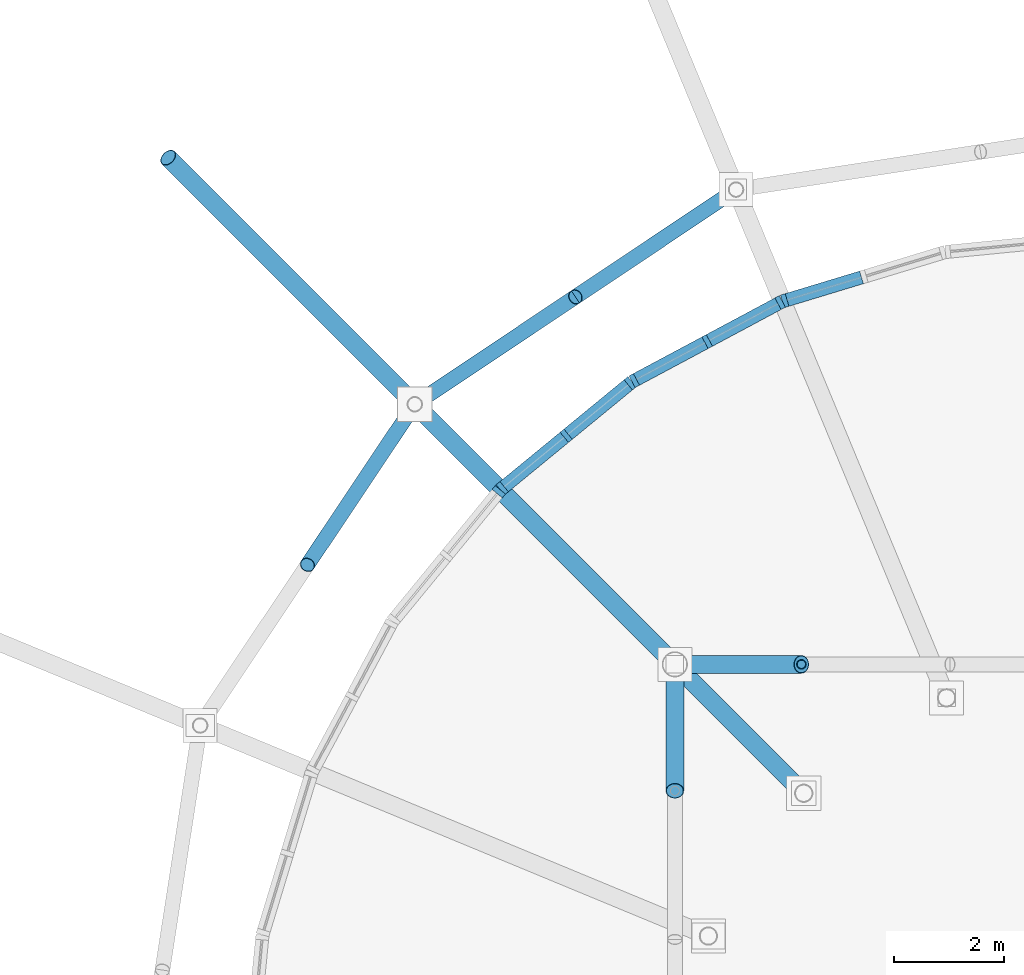
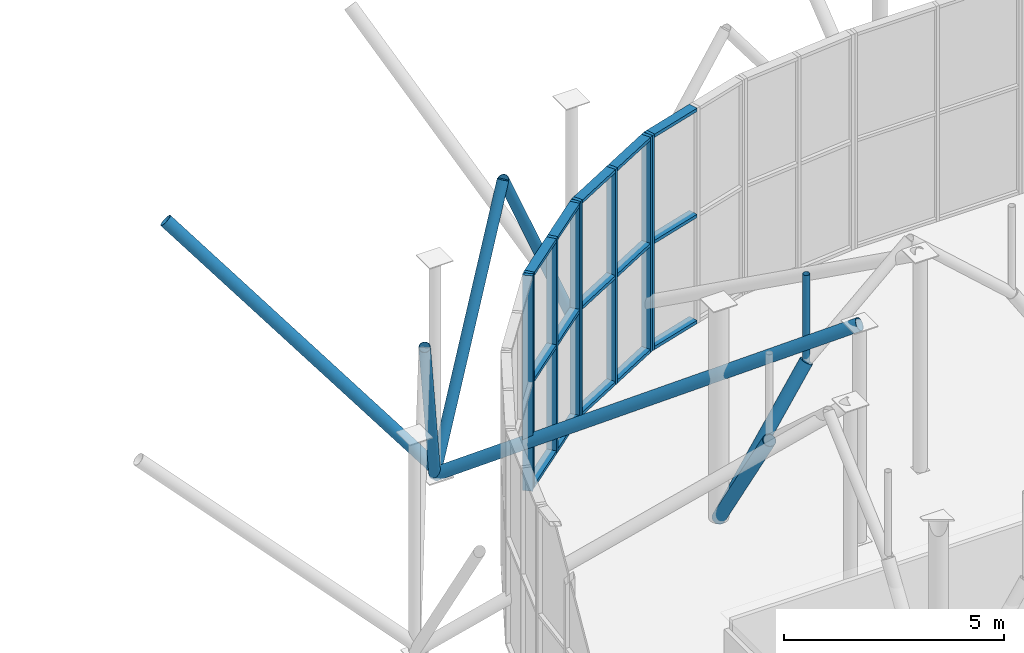
# One storey, part 50 of 109: 31 members, 4 elements without a shape of their own.
"""IFC4 building model written with IfcOpenShell, lengths in metres."""

import ifcopenshell
import ifcopenshell.guid

model = None  # the IFC model being written
_history = None  # IfcOwnerHistory: only IFC2X3 demands one
_inside = {}  # id of a spatial element -> (the spatial element, [elements in it])
_under = {}  # id of a project, library or spatial element -> (it, [spatial elements below it])
_declared = {}  # id of a project -> (the project, [libraries it declares])
_typed = {}  # id of a type object -> (the type object, [elements of that type])
_made_of = {}  # id of a material, layer set ... -> (it, [elements and type objects made of it])


def new_model(schema):
    """Start an empty IFC model of exactly this schema.

    Asked for "IFC4X3", IfcOpenShell would pick the latest addendum, in which some entities
    have other attributes; the version numbers below select the first issue.
    IFC2X3 requires an IfcOwnerHistory on every rooted entity: one is made here for all.
    """
    global model, _history
    if schema == "IFC4X3":
        model = ifcopenshell.file(schema_version=(4, 3, 0, 0))
    else:
        model = ifcopenshell.file(schema=schema)
    _inside.clear()
    _under.clear()
    _declared.clear()
    _typed.clear()
    _made_of.clear()
    _history = None
    if model.schema == "IFC2X3":
        org = make("IfcOrganization", Name="unknown")
        user = make(
            "IfcPersonAndOrganization",
            ThePerson=make("IfcPerson", FamilyName="unknown"),
            TheOrganization=org,
        )
        app = make(
            "IfcApplication",
            ApplicationDeveloper=org,
            Version="unknown",
            ApplicationFullName="unknown",
            ApplicationIdentifier="unknown",
        )
        _history = make(
            "IfcOwnerHistory",
            OwningUser=user,
            OwningApplication=app,
            ChangeAction="ADDED",
            CreationDate=0,
        )
    return model


def make(cls, **values):
    """One entity of the class cls with the attributes given. An attribute that is None is left unset."""
    return model.create_entity(
        cls, **{name: value for name, value in values.items() if value is not None}
    )


def rooted(cls, **values):
    """An entity with a GlobalId (a new one), such as an element, a storey or a relation."""
    return make(cls, GlobalId=ifcopenshell.guid.new(), OwnerHistory=_history, **values)


def si_unit(unit_type, name, prefix=None):
    """IfcSIUnit, for example si_unit("LENGTHUNIT", "METRE", prefix="MILLI")."""
    return make("IfcSIUnit", UnitType=unit_type, Prefix=prefix, Name=name)


def derived_unit(unit_type, elements):
    """IfcDerivedUnit: a product of units, each with its exponent."""
    return make(
        "IfcDerivedUnit",
        Elements=[
            make("IfcDerivedUnitElement", Unit=unit, Exponent=power)
            for unit, power in elements
        ],
        UnitType=unit_type,
    )


def assignment(units):
    """IfcUnitAssignment: the units of a project."""
    return None if units is None else make("IfcUnitAssignment", Units=units)


def point(xyz):
    """IfcCartesianPoint."""
    return None if xyz is None else make("IfcCartesianPoint", Coordinates=xyz)


def direction(xyz):
    """IfcDirection."""
    return None if xyz is None else make("IfcDirection", DirectionRatios=xyz)


def frame(location, z_axis=None, x_axis=None):
    """IfcAxis2Placement3D, a coordinate frame: its origin and axes. An axis left out is left unset."""
    return make(
        "IfcAxis2Placement3D",
        Location=point(location),
        Axis=direction(z_axis),
        RefDirection=direction(x_axis),
    )


def frame_2d(location, x_axis=None):
    """IfcAxis2Placement2D, a coordinate frame in the plane: its origin and x axis."""
    return make(
        "IfcAxis2Placement2D", Location=point(location), RefDirection=direction(x_axis)
    )


def origin():
    """The frame at (0, 0, 0) with its axes left unset."""
    return frame((0.0, 0.0, 0.0))


def origin_2d_with_axis():
    """The frame at (0, 0) in the plane with the x axis (1, 0) written out."""
    return frame_2d((0.0, 0.0), x_axis=(1.0, 0.0))


def place(relative_to, where):
    """IfcLocalPlacement: puts the frame where relative to a parent placement (None: the world)."""
    return make(
        "IfcLocalPlacement", PlacementRelTo=relative_to, RelativePlacement=where
    )


def context(
    kind, dimensions, precision=None, world=None, true_north=None, identifier=None
):
    """IfcGeometricRepresentationContext, for example the 3D "Model" context."""
    return make(
        "IfcGeometricRepresentationContext",
        ContextIdentifier=identifier,
        ContextType=kind,
        CoordinateSpaceDimension=dimensions,
        Precision=precision,
        WorldCoordinateSystem=world,
        TrueNorth=true_north,
    )


def subcontext(parent, identifier, kind, view, scale=None):
    """IfcGeometricRepresentationSubContext, for example "Body" below "Model"."""
    return make(
        "IfcGeometricRepresentationSubContext",
        ContextIdentifier=identifier,
        ContextType=kind,
        ParentContext=parent,
        TargetScale=scale,
        TargetView=view,
    )


def project(units=None, contexts=None):
    """IfcProject with its units and contexts."""
    return rooted(
        "IfcProject",
        Name="project",
        RepresentationContexts=contexts,
        UnitsInContext=assignment(units),
    )


def spatial(cls, under=None, at=None, **own):
    """A site, building, storey or space (cls), placed at a placement, below another one or the project."""
    s = rooted(cls, ObjectPlacement=at, **own)
    if under is not None:
        _under.setdefault(under.id(), (under, []))[1].append(s)
    return s


def profile(cls, at=None, kind="AREA", **sizes):
    """A parametric profile (cls). Its sizes go by their IFC names, for example OverallWidth=200.0."""
    return make(cls, ProfileType=kind, Position=at, **sizes)


def rectangle(**sizes):
    """IfcRectangleProfileDef."""
    return profile("IfcRectangleProfileDef", **sizes)


def hollow_circle(**sizes):
    """IfcCircleHollowProfileDef."""
    return profile("IfcCircleHollowProfileDef", **sizes)


def extrude(swept, where, along, depth):
    """IfcExtrudedAreaSolid: the profile swept, set in the frame where, extruded along a direction by depth."""
    return make(
        "IfcExtrudedAreaSolid",
        SweptArea=swept,
        Position=where,
        ExtrudedDirection=direction(along),
        Depth=depth,
    )


def shape(context_of_items, identifier, shape_type, items):
    """IfcShapeRepresentation: the items that make up one representation, for example the "Body"."""
    return make(
        "IfcShapeRepresentation",
        ContextOfItems=context_of_items,
        RepresentationIdentifier=identifier,
        RepresentationType=shape_type,
        Items=items,
    )


def material(Name=None, Category=None):
    """IfcMaterial."""
    return make("IfcMaterial", Name=Name, Category=Category)


def material_profile(
    of_material, cross_section, Name=None, Category=None, Priority=None
):
    """IfcMaterialProfile: a cross section and its material."""
    return make(
        "IfcMaterialProfile",
        Name=Name,
        Material=of_material,
        Profile=cross_section,
        Priority=Priority,
        Category=Category,
    )


def profile_set(profiles, Name=None, composite=None):
    """IfcMaterialProfileSet."""
    return make(
        "IfcMaterialProfileSet",
        Name=Name,
        MaterialProfiles=profiles,
        CompositeProfile=composite,
    )


def made_of(thing, what):
    """Note that an element or type object is made of a material, layer set ...; save() writes the relation."""
    if what is not None:
        _made_of.setdefault(what.id(), (what, []))[1].append(thing)
    return thing


def type_object(cls, material=None, **own):
    """A type object (cls), such as IfcWallType, which elements share."""
    return made_of(rooted(cls, **own), material)


def element(
    cls,
    number,
    at=None,
    inside=None,
    cuts=None,
    type_object=None,
    material=None,
    context=None,
    identifier="Body",
    shape_type=None,
    held_by="IfcProductDefinitionShape",
    body=None,
    shapes=None,
    **own,
):
    """One element of the class cls, such as IfcWall. Its Tag is "e" and its number.

    at: its placement. inside: the storey or other place that contains it. cuts: it is an
    opening in that element (IfcRelVoidsElement). A single representation is given by context,
    identifier, shape_type and body (its items); several are given by shapes. held_by: the class
    of the entity that holds the representations. save() writes the other relations.
    """
    e = rooted(cls, Tag="e%d" % number, ObjectPlacement=at, **own)
    if body is not None:
        shapes = [shape(context, identifier, shape_type, body)]
    if shapes is not None:
        e.Representation = make(held_by, Representations=shapes)
    if inside is not None:
        _inside.setdefault(inside.id(), (inside, []))[1].append(e)
    if cuts is not None:
        rooted(
            "IfcRelVoidsElement", RelatingBuildingElement=cuts, RelatedOpeningElement=e
        )
    if type_object is not None:
        _typed.setdefault(type_object.id(), (type_object, []))[1].append(e)
    return made_of(e, material)


def aggregate(whole, parts):
    """IfcRelAggregates: a whole, such as a stair, and the parts it consists of."""
    return rooted("IfcRelAggregates", RelatingObject=whole, RelatedObjects=parts)


def save(model, path):
    """Write the relations noted so far, then the file.

    IfcRelAggregates (storeys below a building ...), IfcRelContainedInSpatialStructure (elements
    in a storey), IfcRelDefinesByType, IfcRelAssociatesMaterial and IfcRelDeclares: one each for
    every whole, place, type object, material and project.
    """
    for whole, parts in _under.values():
        aggregate(whole, parts)
    for where, things in _inside.values():
        rooted(
            "IfcRelContainedInSpatialStructure",
            RelatedElements=things,
            RelatingStructure=where,
        )
    for kind, things in _typed.values():
        rooted("IfcRelDefinesByType", RelatedObjects=things, RelatingType=kind)
    for what, things in _made_of.values():
        rooted("IfcRelAssociatesMaterial", RelatedObjects=things, RelatingMaterial=what)
    for by, libraries in _declared.values():
        rooted("IfcRelDeclares", RelatingContext=by, RelatedDefinitions=libraries)
    model.write(path)


model = new_model("IFC4")

# Units and contexts
model_context = context("Model", 3, precision=1e-05, world=origin(), true_north=direction((0.0, 1.0)))
body_context = subcontext(model_context, "Body", "Model", "MODEL_VIEW")
ifc_project = project(units=[si_unit("LENGTHUNIT", "METRE"), si_unit("AREAUNIT", "SQUARE_METRE"), si_unit("VOLUMEUNIT", "CUBIC_METRE"), si_unit("PLANEANGLEUNIT", "RADIAN"), si_unit("MASSUNIT", "GRAM", prefix="KILO"), derived_unit("THERMALTRANSMITTANCEUNIT", [(si_unit("POWERUNIT", "WATT"), 1), (si_unit("LENGTHUNIT", "METRE"), -2), (si_unit("THERMODYNAMICTEMPERATUREUNIT", "KELVIN"), -1)])], contexts=[model_context])

# Site, building, storey
site_placement = place(None, origin())
site = spatial("IfcSite", under=ifc_project, at=site_placement, CompositionType="ELEMENT")
building_placement = place(site_placement, origin())
building = spatial("IfcBuilding", under=site, at=building_placement, Name="Cinnabar Yard Market Hall", CompositionType="ELEMENT")
storey_placement = place(building_placement, frame((0.0, 0.0, 8.39990234375)))
storey = spatial("IfcBuildingStorey", under=building, at=storey_placement, Name="L02", CompositionType="ELEMENT", Elevation=8.39990234375)

# Curtain wall, member
ifc_material_1 = material(Name="Anodised bronze aluminium curved-chord facade", Category="aluminium")
curtain_wall_type = type_object("IfcCurtainWallType", Name="CW-CWC031x60", PredefinedType="NOTDEFINED", material=ifc_material_1)
curtain_wall_1_placement = place(storey_placement, origin())
curtain_wall_1 = element("IfcCurtainWall", 1, at=curtain_wall_1_placement, inside=storey, type_object=curtain_wall_type, Name="Corner NW Chord 2 L02", PredefinedType="NOTDEFINED")
ifc_material_2 = material(Name="Anodised bronze aluminium", Category="aluminium")
ifc_material_profile_1 = material_profile(ifc_material_2, rectangle(XDim=0.239990234375, YDim=0.090087890625, at=origin_2d_with_axis()), Name="MUL-CWC")
ifc_profile_set_1 = profile_set([ifc_material_profile_1], Name="Anodised bronze aluminium")
member_type_1 = type_object("IfcMemberType", Name="CWM-CWC", PredefinedType="MULLION", material=ifc_profile_set_1)
member_1_placement = place(storey_placement, frame((77.99658203125, 70.6103515625, 0.0), z_axis=(0.0, 0.0, 1.0), x_axis=(0.290278891325, -0.956942090856, 0.0)))
member_1 = element("IfcMember", 2, at=member_1_placement, type_object=member_type_1, Name="CWC031x60 mullion 3", PredefinedType="MULLION", context=body_context, shape_type="SweptSolid", body=[
    extrude(rectangle(XDim=0.239990234375, YDim=0.090087890625, at=origin_2d_with_axis()), origin(), (0.0, 0.0, 1.0), 5.97998046875),
])

# Curtain wall, members
curtain_wall_2_placement = place(storey_placement, origin())
curtain_wall_2 = element("IfcCurtainWall", 3, at=curtain_wall_2_placement, inside=storey, type_object=curtain_wall_type, Name="Corner NW Chord 3 L02", PredefinedType="NOTDEFINED")
member_2_placement = place(storey_placement, frame((77.913818359375, 70.576171875, 0.0), z_axis=(0.0, 0.0, 1.0), x_axis=(0.471404114786, -0.881917320707, 0.0)))
member_2 = element("IfcMember", 4, at=member_2_placement, type_object=member_type_1, Name="CWC031x60 mullion 1", PredefinedType="MULLION", context=body_context, shape_type="SweptSolid", body=[
    extrude(rectangle(XDim=0.239990234375, YDim=0.090087890625, at=origin_2d_with_axis()), origin(), (0.0, 0.0, 1.0), 5.97998046875),
])
member_3_placement = place(storey_placement, frame((76.587890625, 69.8671875, 0.0), z_axis=(0.0, 0.0, 1.0), x_axis=(0.471404114786, -0.881917320707, 0.0)))
member_3 = element("IfcMember", 5, at=member_3_placement, type_object=member_type_1, Name="CWC031x60 mullion 2", PredefinedType="MULLION", context=body_context, shape_type="SweptSolid", body=[
    extrude(rectangle(XDim=0.239990234375, YDim=0.090087890625, at=origin_2d_with_axis()), origin(), (0.0, 0.0, 1.0), 5.97998046875),
])
member_4_placement = place(storey_placement, frame((75.26171875, 69.158447265625, 0.0), z_axis=(0.0, 0.0, 1.0), x_axis=(0.471404114786, -0.881917320707, 0.0)))
member_4 = element("IfcMember", 6, at=member_4_placement, type_object=member_type_1, Name="CWC031x60 mullion 3", PredefinedType="MULLION", context=body_context, shape_type="SweptSolid", body=[
    extrude(rectangle(XDim=0.239990234375, YDim=0.090087890625, at=origin_2d_with_axis()), origin(), (0.0, 0.0, 1.0), 5.97998046875),
])

curtain_wall_3_placement = place(storey_placement, origin())
curtain_wall_3 = element("IfcCurtainWall", 7, at=curtain_wall_3_placement, inside=storey, type_object=curtain_wall_type, Name="Corner NW Chord 4 L02", PredefinedType="NOTDEFINED")
member_5_placement = place(storey_placement, frame((75.187255859375, 69.108642578125, 0.0), z_axis=(0.0, 0.0, 1.0), x_axis=(0.634383400924, -0.773018564222, 0.0)))
member_5 = element("IfcMember", 8, at=member_5_placement, type_object=member_type_1, Name="CWC031x60 mullion 1", PredefinedType="MULLION", context=body_context, shape_type="SweptSolid", body=[
    extrude(rectangle(XDim=0.239990234375, YDim=0.090087890625, at=origin_2d_with_axis()), origin(), (0.0, 0.0, 1.0), 5.97998046875),
])
member_6_placement = place(storey_placement, frame((74.02490234375, 68.15478515625, 0.0), z_axis=(0.0, 0.0, 1.0), x_axis=(0.634383400924, -0.773018564222, 0.0)))
member_6 = element("IfcMember", 9, at=member_6_placement, type_object=member_type_1, Name="CWC031x60 mullion 2", PredefinedType="MULLION", context=body_context, shape_type="SweptSolid", body=[
    extrude(rectangle(XDim=0.239990234375, YDim=0.090087890625, at=origin_2d_with_axis()), origin(), (0.0, 0.0, 1.0), 5.97998046875),
])
member_7_placement = place(storey_placement, frame((72.862548828125, 67.200927734375, 0.0), z_axis=(0.0, 0.0, 1.0), x_axis=(0.634383400924, -0.773018564222, 0.0)))
member_7 = element("IfcMember", 10, at=member_7_placement, type_object=member_type_1, Name="CWC031x60 mullion 3", PredefinedType="MULLION", context=body_context, shape_type="SweptSolid", body=[
    extrude(rectangle(XDim=0.239990234375, YDim=0.090087890625, at=origin_2d_with_axis()), origin(), (0.0, 0.0, 1.0), 5.97998046875),
])

# Curtain wall, member
curtain_wall_4_placement = place(storey_placement, origin())
curtain_wall_4 = element("IfcCurtainWall", 11, at=curtain_wall_4_placement, inside=storey, type_object=curtain_wall_type, Name="Corner NW Chord 5 L02", PredefinedType="NOTDEFINED")
member_8_placement = place(storey_placement, frame((72.799072265625, 67.137451171875, 0.0), z_axis=(0.0, 0.0, 1.0), x_axis=(0.773018564222, -0.634383400924, 0.0)))
member_8 = element("IfcMember", 12, at=member_8_placement, type_object=member_type_1, Name="CWC031x60 mullion 1", PredefinedType="MULLION", context=body_context, shape_type="SweptSolid", body=[
    extrude(rectangle(XDim=0.239990234375, YDim=0.090087890625, at=origin_2d_with_axis()), origin(), (0.0, 0.0, 1.0), 5.97998046875),
])
aggregate(curtain_wall_4, [member_8])

# Member
ifc_material_profile_2 = material_profile(ifc_material_2, rectangle(XDim=0.239990234375, YDim=0.090087890625, at=origin_2d_with_axis()), Name="TRN-CWC")
ifc_profile_set_2 = profile_set([ifc_material_profile_2], Name="Anodised bronze aluminium")
member_type_2 = type_object("IfcMemberType", Name="CWT-CWC", PredefinedType="USERDEFINED", material=ifc_profile_set_2)
member_9_placement = place(storey_placement, frame((79.392578125, 71.03369140625, 0.045166015625), z_axis=(-0.956980816915, -0.290151195166, 0.0), x_axis=(0.290151195166, -0.956980816915, 0.0)))
member_9 = element("IfcMember", 13, at=member_9_placement, type_object=member_type_2, Name="CWC031x60 transom 2.1", ObjectType="TRANSOM", PredefinedType="USERDEFINED", context=body_context, shape_type="SweptSolid", body=[
    extrude(rectangle(XDim=0.239990234375, YDim=0.090087890625, at=origin_2d_with_axis()), origin(), (0.0, 0.0, 1.0), 1.41357421875),
])

member_10_placement = place(storey_placement, frame((79.392578125, 71.03369140625, 2.989990234375), z_axis=(-0.956980816915, -0.290151195166, 0.0), x_axis=(0.290151195166, -0.956980816915, 0.0)))
member_10 = element("IfcMember", 14, at=member_10_placement, type_object=member_type_2, Name="CWC031x60 transom 2.2", ObjectType="TRANSOM", PredefinedType="USERDEFINED", context=body_context, shape_type="SweptSolid", body=[
    extrude(rectangle(XDim=0.239990234375, YDim=0.090087890625, at=origin_2d_with_axis()), origin(), (0.0, 0.0, 1.0), 1.41357421875),
])

member_11_placement = place(storey_placement, frame((79.392578125, 71.03369140625, 5.93505859375), z_axis=(-0.956980816915, -0.290151195166, 0.0), x_axis=(0.290151195166, -0.956980816915, 0.0)))
member_11 = element("IfcMember", 15, at=member_11_placement, type_object=member_type_2, Name="CWC031x60 transom 2.3", ObjectType="TRANSOM", PredefinedType="USERDEFINED", context=body_context, shape_type="SweptSolid", body=[
    extrude(rectangle(XDim=0.239990234375, YDim=0.090087890625, at=origin_2d_with_axis()), origin(), (0.0, 0.0, 1.0), 1.41357421875),
])

aggregate(curtain_wall_1, [member_1, member_9, member_10, member_11])

member_12_placement = place(storey_placement, frame((77.874267578125, 70.554931640625, 0.045166015625), z_axis=(-0.881903198965, -0.471430533224, 0.0), x_axis=(0.471430533224, -0.881903198965, 0.0)))
member_12 = element("IfcMember", 16, at=member_12_placement, type_object=member_type_2, Name="CWC031x60 transom 1.1", ObjectType="TRANSOM", PredefinedType="USERDEFINED", context=body_context, shape_type="SweptSolid", body=[
    extrude(rectangle(XDim=0.239990234375, YDim=0.090087890625, at=origin_2d_with_axis()), origin(), (0.0, 0.0, 1.0), 1.413818359375),
])

member_13_placement = place(storey_placement, frame((77.874267578125, 70.554931640625, 2.989990234375), z_axis=(-0.881903198965, -0.471430533224, 0.0), x_axis=(0.471430533224, -0.881903198965, 0.0)))
member_13 = element("IfcMember", 17, at=member_13_placement, type_object=member_type_2, Name="CWC031x60 transom 1.2", ObjectType="TRANSOM", PredefinedType="USERDEFINED", context=body_context, shape_type="SweptSolid", body=[
    extrude(rectangle(XDim=0.239990234375, YDim=0.090087890625, at=origin_2d_with_axis()), origin(), (0.0, 0.0, 1.0), 1.413818359375),
])

member_14_placement = place(storey_placement, frame((77.874267578125, 70.554931640625, 5.93505859375), z_axis=(-0.881903198965, -0.471430533224, 0.0), x_axis=(0.471430533224, -0.881903198965, 0.0)))
member_14 = element("IfcMember", 18, at=member_14_placement, type_object=member_type_2, Name="CWC031x60 transom 1.3", ObjectType="TRANSOM", PredefinedType="USERDEFINED", context=body_context, shape_type="SweptSolid", body=[
    extrude(rectangle(XDim=0.239990234375, YDim=0.090087890625, at=origin_2d_with_axis()), origin(), (0.0, 0.0, 1.0), 1.413818359375),
])

member_15_placement = place(storey_placement, frame((76.548095703125, 69.845947265625, 0.045166015625), z_axis=(-0.881974989496, -0.471296210365, 0.0), x_axis=(0.471296210365, -0.881974989496, 0.0)))
member_15 = element("IfcMember", 19, at=member_15_placement, type_object=member_type_2, Name="CWC031x60 transom 2.1", ObjectType="TRANSOM", PredefinedType="USERDEFINED", context=body_context, shape_type="SweptSolid", body=[
    extrude(rectangle(XDim=0.239990234375, YDim=0.090087890625, at=origin_2d_with_axis()), origin(), (0.0, 0.0, 1.0), 1.41357421875),
])

member_16_placement = place(storey_placement, frame((76.548095703125, 69.845947265625, 2.989990234375), z_axis=(-0.881974989496, -0.471296210365, 0.0), x_axis=(0.471296210365, -0.881974989496, 0.0)))
member_16 = element("IfcMember", 20, at=member_16_placement, type_object=member_type_2, Name="CWC031x60 transom 2.2", ObjectType="TRANSOM", PredefinedType="USERDEFINED", context=body_context, shape_type="SweptSolid", body=[
    extrude(rectangle(XDim=0.239990234375, YDim=0.090087890625, at=origin_2d_with_axis()), origin(), (0.0, 0.0, 1.0), 1.41357421875),
])

member_17_placement = place(storey_placement, frame((76.548095703125, 69.845947265625, 5.93505859375), z_axis=(-0.881974989496, -0.471296210365, 0.0), x_axis=(0.471296210365, -0.881974989496, 0.0)))
member_17 = element("IfcMember", 21, at=member_17_placement, type_object=member_type_2, Name="CWC031x60 transom 2.3", ObjectType="TRANSOM", PredefinedType="USERDEFINED", context=body_context, shape_type="SweptSolid", body=[
    extrude(rectangle(XDim=0.239990234375, YDim=0.090087890625, at=origin_2d_with_axis()), origin(), (0.0, 0.0, 1.0), 1.41357421875),
])

aggregate(curtain_wall_2, [member_2, member_3, member_4, member_12, member_13, member_14, member_15, member_16, member_17])

member_18_placement = place(storey_placement, frame((75.15234375, 69.080078125, 0.045166015625), z_axis=(-0.773040795861, -0.634356309919, 0.0), x_axis=(0.634356309919, -0.773040795861, 0.0)))
member_18 = element("IfcMember", 22, at=member_18_placement, type_object=member_type_2, Name="CWC031x60 transom 1.1", ObjectType="TRANSOM", PredefinedType="USERDEFINED", context=body_context, shape_type="SweptSolid", body=[
    extrude(rectangle(XDim=0.239990234375, YDim=0.090087890625, at=origin_2d_with_axis()), origin(), (0.0, 0.0, 1.0), 1.41357421875),
])

member_19_placement = place(storey_placement, frame((75.15234375, 69.080078125, 2.989990234375), z_axis=(-0.773040795861, -0.634356309919, 0.0), x_axis=(0.634356309919, -0.773040795861, 0.0)))
member_19 = element("IfcMember", 23, at=member_19_placement, type_object=member_type_2, Name="CWC031x60 transom 1.2", ObjectType="TRANSOM", PredefinedType="USERDEFINED", context=body_context, shape_type="SweptSolid", body=[
    extrude(rectangle(XDim=0.239990234375, YDim=0.090087890625, at=origin_2d_with_axis()), origin(), (0.0, 0.0, 1.0), 1.41357421875),
])

member_20_placement = place(storey_placement, frame((75.15234375, 69.080078125, 5.93505859375), z_axis=(-0.773040795861, -0.634356309919, 0.0), x_axis=(0.634356309919, -0.773040795861, 0.0)))
member_20 = element("IfcMember", 24, at=member_20_placement, type_object=member_type_2, Name="CWC031x60 transom 1.3", ObjectType="TRANSOM", PredefinedType="USERDEFINED", context=body_context, shape_type="SweptSolid", body=[
    extrude(rectangle(XDim=0.239990234375, YDim=0.090087890625, at=origin_2d_with_axis()), origin(), (0.0, 0.0, 1.0), 1.41357421875),
])

member_21_placement = place(storey_placement, frame((73.989990234375, 68.126220703125, 0.045166015625), z_axis=(-0.773040795861, -0.634356309919, 0.0), x_axis=(0.634356309919, -0.773040795861, 0.0)))
member_21 = element("IfcMember", 25, at=member_21_placement, type_object=member_type_2, Name="CWC031x60 transom 2.1", ObjectType="TRANSOM", PredefinedType="USERDEFINED", context=body_context, shape_type="SweptSolid", body=[
    extrude(rectangle(XDim=0.239990234375, YDim=0.090087890625, at=origin_2d_with_axis()), origin(), (0.0, 0.0, 1.0), 1.41357421875),
])

member_22_placement = place(storey_placement, frame((73.989990234375, 68.126220703125, 2.989990234375), z_axis=(-0.773040795861, -0.634356309919, 0.0), x_axis=(0.634356309919, -0.773040795861, 0.0)))
member_22 = element("IfcMember", 26, at=member_22_placement, type_object=member_type_2, Name="CWC031x60 transom 2.2", ObjectType="TRANSOM", PredefinedType="USERDEFINED", context=body_context, shape_type="SweptSolid", body=[
    extrude(rectangle(XDim=0.239990234375, YDim=0.090087890625, at=origin_2d_with_axis()), origin(), (0.0, 0.0, 1.0), 1.41357421875),
])

member_23_placement = place(storey_placement, frame((73.989990234375, 68.126220703125, 5.93505859375), z_axis=(-0.773040795861, -0.634356309919, 0.0), x_axis=(0.634356309919, -0.773040795861, 0.0)))
member_23 = element("IfcMember", 27, at=member_23_placement, type_object=member_type_2, Name="CWC031x60 transom 2.3", ObjectType="TRANSOM", PredefinedType="USERDEFINED", context=body_context, shape_type="SweptSolid", body=[
    extrude(rectangle(XDim=0.239990234375, YDim=0.090087890625, at=origin_2d_with_axis()), origin(), (0.0, 0.0, 1.0), 1.41357421875),
])

aggregate(curtain_wall_3, [member_5, member_6, member_7, member_18, member_19, member_20, member_21, member_22, member_23])

# Members
ifc_material_3 = material(Name="Spotted-gum glulam-clad steel Grade 350 (350 MPa)", Category="steel")
ifc_material_profile_3 = material_profile(ifc_material_3, hollow_circle(Radius=0.136474609375, WallThickness=0.00927734375, at=origin_2d_with_axis()), Name="273.1x9.3CHS")
ifc_profile_set_3 = profile_set([ifc_material_profile_3], Name="Spotted-gum glulam-clad steel Grade 350 (350 MPa)")
member_type_3 = type_object("IfcMemberType", Name="MB-AR01E", PredefinedType="USERDEFINED", material=ifc_profile_set_3)
for number, where, z_axis, x_axis, name in (
    (28, (77.11181640625, 72.6298828125, 0.0), (-0.42105010271, -0.281322020966, 0.862307793962), (0.555550213974, -0.831482988253, 0.0), "Corner Pointed Arch NW 2A"),
    (29, (71.272216796875, 68.727783203125, 0.0), (0.421016968363, 0.281358609512, 0.862312034709), (-0.555630392257, 0.831429412037, 0.0), "Corner Pointed Arch NW 2B"),
    (30, (71.272216796875, 68.727783203125, 0.0), (-0.281358609512, -0.421016968363, 0.862312034709), (0.831429412037, -0.555630392257, 0.0), "Corner Pointed Arch NW 3A"),
):
    element("IfcMember", number, at=place(storey_placement, frame(where, z_axis=z_axis, x_axis=x_axis)), inside=storey, type_object=member_type_3, Name=name, ObjectType="ARCH RIB", PredefinedType="USERDEFINED", context=body_context, shape_type="SweptSolid", body=[
        extrude(hollow_circle(Radius=0.136474609375, WallThickness=0.00927734375, at=origin_2d_with_axis()), origin(), (0.0, 0.0, 1.0), 6.934814453125),
    ])
ifc_material_profile_4 = material_profile(ifc_material_3, hollow_circle(Radius=0.161865234375, WallThickness=0.009521484375, at=origin_2d_with_axis()), Name="323.9x9.5CHS")
ifc_profile_set_4 = profile_set([ifc_material_profile_4], Name="Spotted-gum glulam-clad steel Grade 350 (350 MPa)")
member_type_4 = type_object("IfcMemberType", Name="MB-ST01", PredefinedType="STRUT", material=ifc_profile_set_4)
for number, where, z_axis, x_axis, name in (
    (31, (76.0, 64.0, 0.0), (0.543744165176, 0.0, 0.839251024925), (0.0, 1.0, 0.0), "Curved Branch Arm Lower 0012"),
    (32, (76.0, 64.0, 0.0), (0.0, -0.543744165176, 0.839251024925), (1.0, 0.0, 0.0), "Curved Branch Arm Lower 0013"),
):
    element("IfcMember", number, at=place(storey_placement, frame(where, z_axis=z_axis, x_axis=x_axis)), inside=storey, type_object=member_type_4, Name=name, PredefinedType="STRUT", context=body_context, shape_type="SweptSolid", body=[
        extrude(hollow_circle(Radius=0.161865234375, WallThickness=0.009521484375, at=origin_2d_with_axis()), origin(), (0.0, 0.0, 1.0), 4.22998046875),
    ])
ifc_material_profile_5 = material_profile(ifc_material_3, hollow_circle(Radius=0.161865234375, WallThickness=0.009521484375, at=origin_2d_with_axis()), Name="323.9x9.5CHS")
ifc_profile_set_5 = profile_set([ifc_material_profile_5], Name="Spotted-gum glulam-clad steel Grade 350 (350 MPa)")
member_type_5 = type_object("IfcMemberType", Name="MB-ST01E", PredefinedType="STRUT", material=ifc_profile_set_5)
member_24_placement = place(storey_placement, frame((71.272216796875, 68.727783203125, 0.0), z_axis=(0.606868367863, -0.606868367863, 0.513246108778), x_axis=(0.707106781187, 0.707106781187, 0.0)))
element("IfcMember", 33, at=member_24_placement, inside=storey, type_object=member_type_5, Name="Corner Radial Inward Arm NW-4", PredefinedType="STRUT", context=body_context, shape_type="SweptSolid", body=[
    extrude(hollow_circle(Radius=0.161865234375, WallThickness=0.009521484375, at=origin_2d_with_axis()), origin(), (0.0, 0.0, 1.0), 11.6513671875),
])
member_25_placement = place(storey_placement, frame((71.272216796875, 68.727783203125, 0.2001953125), z_axis=(-0.525842817771, 0.525842817771, 0.668564628138), x_axis=(-0.707106781187, -0.707106781187, 0.0)))
element("IfcMember", 34, at=member_25_placement, inside=storey, type_object=member_type_5, Name="Corner Chhajja Bracket Arm NW-4", PredefinedType="STRUT", context=body_context, shape_type="SweptSolid", body=[
    extrude(hollow_circle(Radius=0.161865234375, WallThickness=0.009521484375, at=origin_2d_with_axis()), origin(), (0.0, 0.0, 1.0), 8.525634765625),
])
ifc_material_4 = material(Name="Cold-formed steel C350L0", Category="steel")
ifc_material_profile_6 = material_profile(ifc_material_4, hollow_circle(Radius=0.084228515625, WallThickness=0.00634765625, at=origin_2d_with_axis()), Name="168.3x6.4CHS")
ifc_profile_set_6 = profile_set([ifc_material_profile_6], Name="Cold-formed steel C350L0")
member_type_6 = type_object("IfcMemberType", Name="MB-WB01", PredefinedType="STRUT", material=ifc_profile_set_6)
member_26_placement = place(storey_placement, frame((78.300048828125, 64.0, 3.550048828125), z_axis=(0.0, 0.0, 1.0), x_axis=(1.0, 0.0, 0.0)))
element("IfcMember", 35, at=member_26_placement, inside=storey, type_object=member_type_6, Name="Arch Spandrel Post 0012", PredefinedType="STRUT", context=body_context, shape_type="SweptSolid", body=[
    extrude(hollow_circle(Radius=0.084228515625, WallThickness=0.00634765625, at=origin_2d_with_axis()), origin(), (0.0, 0.0, 1.0), 2.429931640625),
])

save(model, "model.ifc")
